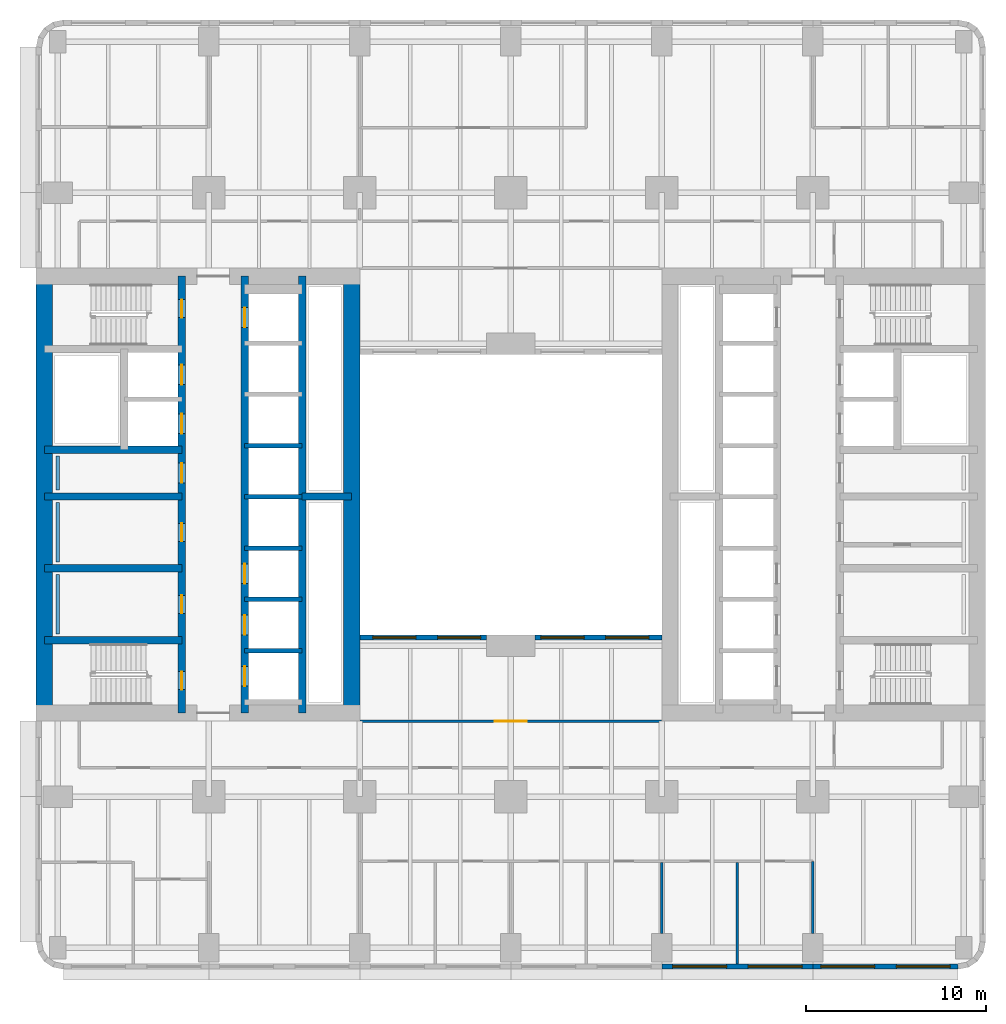
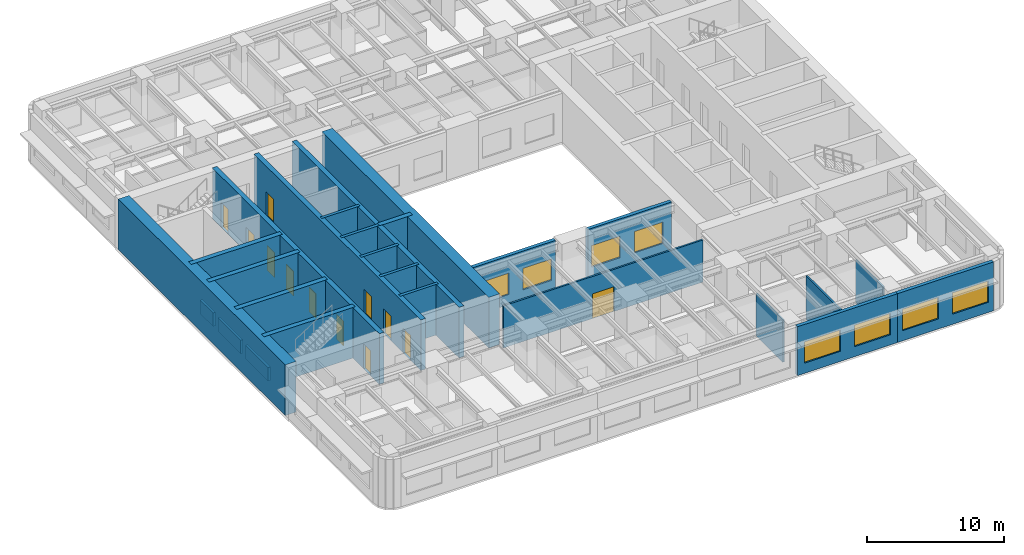
# One storey, part 4 of 12: 26 walls, 12 doors, 8 windows, 20 openings.
"""IFC4 building model written with IfcOpenShell, lengths in metres."""

from ifc_helpers import new_model, si_unit, direction, frame, frame_2d, origin, place, context, subcontext, project, spatial, rectangle, extrude, material, layer, layer_set, type_object, element, fill, save


model = new_model("IFC4")

# Units and contexts
model_context = context("Model", 3, precision=1e-05, world=origin(), true_north=direction((0.0, 1.0)))
body_context = subcontext(model_context, "Body", "Model", "MODEL_VIEW")
ifc_project = project(units=[si_unit("LENGTHUNIT", "METRE"), si_unit("AREAUNIT", "SQUARE_METRE"), si_unit("VOLUMEUNIT", "CUBIC_METRE"), si_unit("PLANEANGLEUNIT", "RADIAN"), si_unit("MASSUNIT", "GRAM", prefix="KILO")], contexts=[model_context])

# Site, building, storey
site_placement = place(None, origin())
site = spatial("IfcSite", under=ifc_project, at=site_placement, CompositionType="ELEMENT")
building_placement = place(site_placement, origin())
building = spatial("IfcBuilding", under=site, at=building_placement, Name="Claustro Exchange Tower", CompositionType="ELEMENT")
storey_placement = place(building_placement, frame((0.0, 0.0, 63.89990234375)))
storey = spatial("IfcBuildingStorey", under=building, at=storey_placement, Name="L14", CompositionType="ELEMENT", Elevation=63.89990234375)

# Walls
ifc_material_1 = material(Name="Gypsum board on steel studs", Category="steel")
ifc_layer_1 = layer(ifc_material_1, 0.14990234375)
ifc_layer_set_1 = layer_set([ifc_layer_1], Name="Gypsum board on steel studs")
wall_type_1 = type_object("IfcWallType", Name="P1 150 plasterboard partition", PredefinedType="PARTITIONING", material=ifc_layer_set_1)
wall_1_placement = place(storey_placement, frame((33.60009765625, 0.799072265625, 0.0), z_axis=(0.0, 0.0, 1.0), x_axis=(0.0, 1.0, 0.0)))
element("IfcWall", 1, at=wall_1_placement, inside=storey, type_object=wall_type_1, Name="Partition P1 L14", PredefinedType="PARTITIONING", context=body_context, shape_type="SweptSolid", body=[
    extrude(rectangle(XDim=3.927001953125, YDim=0.14990234375, at=frame_2d((1.96337890625, 0.0))), origin(), (0.0, 0.0, 1.0), 3.739990234375),
])
wall_2_placement = place(storey_placement, frame((37.800048828125, -0.902099609375, 0.0), z_axis=(0.0, 0.0, 1.0), x_axis=(0.0, 1.0, 0.0)))
element("IfcWall", 2, at=wall_2_placement, inside=storey, type_object=wall_type_1, Name="Partition P1 L14", PredefinedType="PARTITIONING", context=body_context, shape_type="SweptSolid", body=[
    extrude(rectangle(XDim=5.628173828125, YDim=0.14990234375, at=frame_2d((2.81396484375, 0.0))), origin(), (0.0, 0.0, 1.0), 3.840087890625),
])
wall_3_placement = place(storey_placement, frame((42.0, 0.799072265625, 0.0), z_axis=(0.0, 0.0, 1.0), x_axis=(0.0, 1.0, 0.0)))
element("IfcWall", 3, at=wall_3_placement, inside=storey, type_object=wall_type_1, Name="Partition P1 L14", PredefinedType="PARTITIONING", context=body_context, shape_type="SweptSolid", body=[
    extrude(rectangle(XDim=4.0009765625, YDim=0.14990234375, at=frame_2d((2.00048828125, 0.0))), origin(), (0.0, 0.0, 1.0), 3.739990234375),
])

# Wall, opening, door
wall_4_placement = place(storey_placement, frame((16.820068359375, 12.60009765625, 0.0), z_axis=(0.0, 0.0, 1.0), x_axis=(1.0, 0.0, 0.0)))
wall_4 = element("IfcWall", 4, at=wall_4_placement, inside=storey, type_object=wall_type_1, Name="Partition P1 L14", PredefinedType="PARTITIONING", context=body_context, shape_type="SweptSolid", body=[
    extrude(rectangle(XDim=16.760009765625, YDim=0.14990234375, at=frame_2d((8.3798828125, 0.0))), origin(), (0.0, 0.0, 1.0), 3.739990234375),
])
opening_1_placement = place(wall_4_placement, frame((7.47998046875, 0.0, 0.0)))
opening_1 = element("IfcOpeningElement", 5, at=opening_1_placement, cuts=wall_4, Name="Opening D2", PredefinedType="OPENING", context=body_context, shape_type="SweptSolid", body=[
    extrude(rectangle(XDim=1.800048828125, YDim=2.199951171875, at=frame_2d((0.89990234375, 1.10009765625))), frame((0.0, 0.0849609375, 0.0), z_axis=(0.0, -1.0, 0.0), x_axis=(1.0, 0.0, 0.0)), (0.0, 0.0, 1.0), 0.169921875),
])
ifc_material_2 = material(Name="Timber door, oak veneer", Category="wood")
door_type_1 = type_object("IfcDoorType", Name="D2 1800 x 2200 double door", OperationType="DOUBLE_DOOR_SINGLE_SWING", PredefinedType="DOOR", material=ifc_material_2)
door_1_placement = place(opening_1_placement, frame((1.800048828125, 0.0, 0.0), z_axis=(0.0, 0.0, 1.0), x_axis=(-1.0, 0.0, 0.0)))
door_1 = element("IfcDoor", 6, at=door_1_placement, inside=storey, type_object=door_type_1, Name="Double door D2 L14", OperationType="DOUBLE_DOOR_SINGLE_SWING", OverallHeight=2.199951171875, OverallWidth=1.800048828125, PredefinedType="DOOR", context=body_context, shape_type="SweptSolid", body=[
    extrude(rectangle(XDim=1.800048828125, YDim=2.199951171875, at=frame_2d((0.89990234375, 1.10009765625))), frame((0.0, 0.02490234375, 0.0), z_axis=(0.0, -1.0, 0.0), x_axis=(1.0, 0.0, 0.0)), (0.0, 0.0, 1.0), 0.050048828125),
])
fill(opening_1, door_1)

# Wall, openings, windows
ifc_material_3 = material(Name="Concrete HA-40 (C40/50), precast, white cement, acid-etched", Category="concrete")
ifc_layer_2 = layer(ifc_material_3, 0.300048828125)
ifc_layer_set_2 = layer_set([ifc_layer_2], Name="Concrete HA-40 (C40/50), precast, white cement, acid-etched")
wall_type_2 = type_object("IfcWallType", Name="PC1 300 precast concrete pier panel", PredefinedType="SOLIDWALL", material=ifc_layer_set_2)
wall_5_placement = place(storey_placement, frame((50.085205078125, -1.050048828125, 0.0), z_axis=(0.0, 0.0, 1.0), x_axis=(-1.0, 0.0, 0.0)))
wall_5 = element("IfcWall", 7, at=wall_5_placement, inside=storey, type_object=wall_type_2, Name="Precast pier panel PC1 L14", PredefinedType="SOLIDWALL", context=body_context, shape_type="SweptSolid", body=[
    extrude(rectangle(XDim=8.085205078125, YDim=0.300048828125, at=frame_2d((4.04248046875, 0.0))), origin(), (0.0, 0.0, 1.0), 4.340087890625),
])
opening_2_placement = place(wall_5_placement, frame((0.442626953125, 0.0, 0.89990234375)))
opening_2 = element("IfcOpeningElement", 8, at=opening_2_placement, cuts=wall_5, Name="Opening W1", PredefinedType="OPENING", context=body_context, shape_type="SweptSolid", body=[
    extrude(rectangle(XDim=3.0, YDim=1.89990234375, at=frame_2d((1.5, 0.949951171875))), frame((0.0, 0.159912109375, 0.0), z_axis=(0.0, -1.0, 0.0), x_axis=(1.0, 0.0, 0.0)), (0.0, 0.0, 1.0), 0.320068359375),
])
opening_3_placement = place(wall_5_placement, frame((4.642578125, 0.0, 0.89990234375)))
opening_3 = element("IfcOpeningElement", 9, at=opening_3_placement, cuts=wall_5, Name="Opening W1", PredefinedType="OPENING", context=body_context, shape_type="SweptSolid", body=[
    extrude(rectangle(XDim=3.0, YDim=1.89990234375, at=frame_2d((1.5, 0.949951171875))), frame((0.0, 0.159912109375, 0.0), z_axis=(0.0, -1.0, 0.0), x_axis=(1.0, 0.0, 0.0)), (0.0, 0.0, 1.0), 0.320068359375),
])
ifc_material_4 = material(Name="Aluminium frame, clear double glazing", Category="aluminium")
window_type_1 = type_object("IfcWindowType", Name="W1 3000 x 1900 window", PartitioningType="SINGLE_PANEL", PredefinedType="WINDOW", material=ifc_material_4)
window_1_placement = place(opening_2_placement, origin())
window_1 = element("IfcWindow", 10, at=window_1_placement, inside=storey, type_object=window_type_1, Name="Window W1 L14", OverallHeight=1.89990234375, OverallWidth=3.0, PartitioningType="SINGLE_PANEL", PredefinedType="WINDOW", context=body_context, shape_type="SweptSolid", body=[
    extrude(rectangle(XDim=3.0, YDim=1.89990234375, at=frame_2d((1.5, 0.949951171875))), frame((0.0, 0.030029296875, 0.0), z_axis=(0.0, -1.0, 0.0), x_axis=(1.0, 0.0, 0.0)), (0.0, 0.0, 1.0), 0.06005859375),
])
fill(opening_2, window_1)
window_2_placement = place(opening_3_placement, origin())
window_2 = element("IfcWindow", 11, at=window_2_placement, inside=storey, type_object=window_type_1, Name="Window W1 L14", OverallHeight=1.89990234375, OverallWidth=3.0, PartitioningType="SINGLE_PANEL", PredefinedType="WINDOW", context=body_context, shape_type="SweptSolid", body=[
    extrude(rectangle(XDim=3.0, YDim=1.89990234375, at=frame_2d((1.5, 0.949951171875))), frame((0.0, 0.030029296875, 0.0), z_axis=(0.0, -1.0, 0.0), x_axis=(1.0, 0.0, 0.0)), (0.0, 0.0, 1.0), 0.06005859375),
])
fill(opening_3, window_2)

wall_6_placement = place(storey_placement, frame((42.0, -1.050048828125, 0.0), z_axis=(0.0, 0.0, 1.0), x_axis=(-1.0, 0.0, 0.0)))
wall_6 = element("IfcWall", 12, at=wall_6_placement, inside=storey, type_object=wall_type_2, Name="Precast pier panel PC1 L14", PredefinedType="SOLIDWALL", context=body_context, shape_type="SweptSolid", body=[
    extrude(rectangle(XDim=8.39990234375, YDim=0.300048828125, at=frame_2d((4.199951171875, 0.0))), origin(), (0.0, 0.0, 1.0), 4.340087890625),
])
opening_4_placement = place(wall_6_placement, frame((0.60009765625, 0.0, 0.89990234375)))
opening_4 = element("IfcOpeningElement", 13, at=opening_4_placement, cuts=wall_6, Name="Opening W1", PredefinedType="OPENING", context=body_context, shape_type="SweptSolid", body=[
    extrude(rectangle(XDim=3.0, YDim=1.89990234375, at=frame_2d((1.5, 0.949951171875))), frame((0.0, 0.159912109375, 0.0), z_axis=(0.0, -1.0, 0.0), x_axis=(1.0, 0.0, 0.0)), (0.0, 0.0, 1.0), 0.320068359375),
])
opening_5_placement = place(wall_6_placement, frame((4.800048828125, 0.0, 0.89990234375)))
opening_5 = element("IfcOpeningElement", 14, at=opening_5_placement, cuts=wall_6, Name="Opening W1", PredefinedType="OPENING", context=body_context, shape_type="SweptSolid", body=[
    extrude(rectangle(XDim=3.0, YDim=1.89990234375, at=frame_2d((1.5, 0.949951171875))), frame((0.0, 0.159912109375, 0.0), z_axis=(0.0, -1.0, 0.0), x_axis=(1.0, 0.0, 0.0)), (0.0, 0.0, 1.0), 0.320068359375),
])
window_3_placement = place(opening_4_placement, origin())
window_3 = element("IfcWindow", 15, at=window_3_placement, inside=storey, type_object=window_type_1, Name="Window W1 L14", OverallHeight=1.89990234375, OverallWidth=3.0, PartitioningType="SINGLE_PANEL", PredefinedType="WINDOW", context=body_context, shape_type="SweptSolid", body=[
    extrude(rectangle(XDim=3.0, YDim=1.89990234375, at=frame_2d((1.5, 0.949951171875))), frame((0.0, 0.030029296875, 0.0), z_axis=(0.0, -1.0, 0.0), x_axis=(1.0, 0.0, 0.0)), (0.0, 0.0, 1.0), 0.06005859375),
])
fill(opening_4, window_3)
window_4_placement = place(opening_5_placement, origin())
window_4 = element("IfcWindow", 16, at=window_4_placement, inside=storey, type_object=window_type_1, Name="Window W1 L14", OverallHeight=1.89990234375, OverallWidth=3.0, PartitioningType="SINGLE_PANEL", PredefinedType="WINDOW", context=body_context, shape_type="SweptSolid", body=[
    extrude(rectangle(XDim=3.0, YDim=1.89990234375, at=frame_2d((1.5, 0.949951171875))), frame((0.0, 0.030029296875, 0.0), z_axis=(0.0, -1.0, 0.0), x_axis=(1.0, 0.0, 0.0)), (0.0, 0.0, 1.0), 0.06005859375),
])
fill(opening_5, window_4)

wall_7_placement = place(storey_placement, frame((16.800048828125, 17.25, 0.0), z_axis=(0.0, 0.0, 1.0), x_axis=(1.0, 0.0, 0.0)))
wall_7 = element("IfcWall", 17, at=wall_7_placement, inside=storey, type_object=wall_type_2, Name="Precast pier panel PC1 L14", PredefinedType="SOLIDWALL", context=body_context, shape_type="SweptSolid", body=[
    extrude(rectangle(XDim=7.050048828125, YDim=0.300048828125, at=frame_2d((3.52490234375, 0.0))), origin(), (0.0, 0.0, 1.0), 4.340087890625),
])
opening_6_placement = place(wall_7_placement, frame((0.72509765625, 0.0, 0.89990234375)))
opening_6 = element("IfcOpeningElement", 18, at=opening_6_placement, cuts=wall_7, Name="Opening W2", PredefinedType="OPENING", context=body_context, shape_type="SweptSolid", body=[
    extrude(rectangle(XDim=2.39990234375, YDim=1.89990234375, at=frame_2d((1.199951171875, 0.949951171875))), frame((0.0, 0.159912109375, 0.0), z_axis=(0.0, -1.0, 0.0), x_axis=(1.0, 0.0, 0.0)), (0.0, 0.0, 1.0), 0.320068359375),
])
opening_7_placement = place(wall_7_placement, frame((4.324951171875, 0.0, 0.89990234375)))
opening_7 = element("IfcOpeningElement", 19, at=opening_7_placement, cuts=wall_7, Name="Opening W2", PredefinedType="OPENING", context=body_context, shape_type="SweptSolid", body=[
    extrude(rectangle(XDim=2.39990234375, YDim=1.89990234375, at=frame_2d((1.199951171875, 0.949951171875))), frame((0.0, 0.159912109375, 0.0), z_axis=(0.0, -1.0, 0.0), x_axis=(1.0, 0.0, 0.0)), (0.0, 0.0, 1.0), 0.320068359375),
])
ifc_material_5 = material(Name="Aluminium frame, clear double glazing", Category="aluminium")
window_type_2 = type_object("IfcWindowType", Name="W2 2400 x 1900 window", PartitioningType="SINGLE_PANEL", PredefinedType="WINDOW", material=ifc_material_5)
window_5_placement = place(opening_6_placement, origin())
window_5 = element("IfcWindow", 20, at=window_5_placement, inside=storey, type_object=window_type_2, Name="Window W2 L14", OverallHeight=1.89990234375, OverallWidth=2.39990234375, PartitioningType="SINGLE_PANEL", PredefinedType="WINDOW", context=body_context, shape_type="SweptSolid", body=[
    extrude(rectangle(XDim=2.39990234375, YDim=1.89990234375, at=frame_2d((1.199951171875, 0.949951171875))), frame((0.0, 0.030029296875, 0.0), z_axis=(0.0, -1.0, 0.0), x_axis=(1.0, 0.0, 0.0)), (0.0, 0.0, 1.0), 0.06005859375),
])
fill(opening_6, window_5)
window_6_placement = place(opening_7_placement, origin())
window_6 = element("IfcWindow", 21, at=window_6_placement, inside=storey, type_object=window_type_2, Name="Window W2 L14", OverallHeight=1.89990234375, OverallWidth=2.39990234375, PartitioningType="SINGLE_PANEL", PredefinedType="WINDOW", context=body_context, shape_type="SweptSolid", body=[
    extrude(rectangle(XDim=2.39990234375, YDim=1.89990234375, at=frame_2d((1.199951171875, 0.949951171875))), frame((0.0, 0.030029296875, 0.0), z_axis=(0.0, -1.0, 0.0), x_axis=(1.0, 0.0, 0.0)), (0.0, 0.0, 1.0), 0.06005859375),
])
fill(opening_7, window_6)

wall_8_placement = place(storey_placement, frame((26.550048828125, 17.25, 0.0), z_axis=(0.0, 0.0, 1.0), x_axis=(1.0, 0.0, 0.0)))
wall_8 = element("IfcWall", 22, at=wall_8_placement, inside=storey, type_object=wall_type_2, Name="Precast pier panel PC1 L14", PredefinedType="SOLIDWALL", context=body_context, shape_type="SweptSolid", body=[
    extrude(rectangle(XDim=7.050048828125, YDim=0.300048828125, at=frame_2d((3.52490234375, 0.0))), origin(), (0.0, 0.0, 1.0), 4.340087890625),
])
opening_8_placement = place(wall_8_placement, frame((0.324951171875, 0.0, 0.89990234375)))
opening_8 = element("IfcOpeningElement", 23, at=opening_8_placement, cuts=wall_8, Name="Opening W2", PredefinedType="OPENING", context=body_context, shape_type="SweptSolid", body=[
    extrude(rectangle(XDim=2.39990234375, YDim=1.89990234375, at=frame_2d((1.199951171875, 0.949951171875))), frame((0.0, 0.159912109375, 0.0), z_axis=(0.0, -1.0, 0.0), x_axis=(1.0, 0.0, 0.0)), (0.0, 0.0, 1.0), 0.320068359375),
])
opening_9_placement = place(wall_8_placement, frame((3.925048828125, 0.0, 0.89990234375)))
opening_9 = element("IfcOpeningElement", 24, at=opening_9_placement, cuts=wall_8, Name="Opening W2", PredefinedType="OPENING", context=body_context, shape_type="SweptSolid", body=[
    extrude(rectangle(XDim=2.39990234375, YDim=1.89990234375, at=frame_2d((1.199951171875, 0.949951171875))), frame((0.0, 0.159912109375, 0.0), z_axis=(0.0, -1.0, 0.0), x_axis=(1.0, 0.0, 0.0)), (0.0, 0.0, 1.0), 0.320068359375),
])
window_7_placement = place(opening_8_placement, origin())
window_7 = element("IfcWindow", 25, at=window_7_placement, inside=storey, type_object=window_type_2, Name="Window W2 L14", OverallHeight=1.89990234375, OverallWidth=2.39990234375, PartitioningType="SINGLE_PANEL", PredefinedType="WINDOW", context=body_context, shape_type="SweptSolid", body=[
    extrude(rectangle(XDim=2.39990234375, YDim=1.89990234375, at=frame_2d((1.199951171875, 0.949951171875))), frame((0.0, 0.030029296875, 0.0), z_axis=(0.0, -1.0, 0.0), x_axis=(1.0, 0.0, 0.0)), (0.0, 0.0, 1.0), 0.06005859375),
])
fill(opening_8, window_7)
window_8_placement = place(opening_9_placement, origin())
window_8 = element("IfcWindow", 26, at=window_8_placement, inside=storey, type_object=window_type_2, Name="Window W2 L14", OverallHeight=1.89990234375, OverallWidth=2.39990234375, PartitioningType="SINGLE_PANEL", PredefinedType="WINDOW", context=body_context, shape_type="SweptSolid", body=[
    extrude(rectangle(XDim=2.39990234375, YDim=1.89990234375, at=frame_2d((1.199951171875, 0.949951171875))), frame((0.0, 0.030029296875, 0.0), z_axis=(0.0, -1.0, 0.0), x_axis=(1.0, 0.0, 0.0)), (0.0, 0.0, 1.0), 0.06005859375),
])
fill(opening_9, window_8)

# Walls
ifc_material_6 = material(Name="Gypsum board on steel studs, tiled", Category="steel")
ifc_layer_3 = layer(ifc_material_6, 0.199951171875)
ifc_layer_set_3 = layer_set([ifc_layer_3], Name="Gypsum board on steel studs, tiled")
wall_type_3 = type_object("IfcWallType", Name="PW1 200 WC duct wall", PredefinedType="PLUMBINGWALL", material=ifc_layer_set_3)
for number, where, z_axis, x_axis, name in (
    (27, (0.0, 17.449951171875, 0.0), (0.0, 0.0, 1.0), (0.0, 1.0, 0.0), "WC duct wall PW1 L14"),
    (28, (0.0, 21.449951171875, 0.0), (0.0, 0.0, 1.0), (0.0, 1.0, 0.0), "WC duct wall PW1 L14"),
):
    element("IfcWall", number, at=place(storey_placement, frame(where, z_axis=z_axis, x_axis=x_axis)), inside=storey, type_object=wall_type_3, Name=name, PredefinedType="PLUMBINGWALL", context=body_context, shape_type="SweptSolid", body=[
        extrude(rectangle(XDim=3.300048828125, YDim=0.199951171875, at=frame_2d((1.64990234375, 0.0))), origin(), (0.0, 0.0, 1.0), 1.2001953125),
    ])
wall_9_placement = place(storey_placement, frame((0.0, 25.449951171875, 0.0), z_axis=(0.0, 0.0, 1.0), x_axis=(0.0, 1.0, 0.0)))
element("IfcWall", 29, at=wall_9_placement, inside=storey, type_object=wall_type_3, Name="WC duct wall PW1 L14", PredefinedType="PLUMBINGWALL", context=body_context, shape_type="SweptSolid", body=[
    extrude(rectangle(XDim=1.900146484375, YDim=0.199951171875, at=frame_2d((0.9501953125, 0.0))), origin(), (0.0, 0.0, 1.0), 1.2001953125),
])
ifc_material_7 = material(Name="Concrete HA-70 (C70/85)", Category="concrete")
ifc_layer_4 = layer(ifc_material_7, 0.89990234375)
ifc_layer_set_4 = layer_set([ifc_layer_4], Name="Concrete HA-70 (C70/85)")
wall_type_4 = type_object("IfcWallType", Name="SW1X 900 exposed core shear wall, board-marked face", PredefinedType="SHEAR", material=ifc_layer_set_4)
for number, where, z_axis, x_axis, name in (
    (30, (-0.75, 13.050048828125, 0.0), (0.0, 0.0, 1.0), (0.0, 1.0, 0.0), "Core wall SW1X W core W face L14"),
    (31, (16.35009765625, 13.050048828125, 0.0), (0.0, 0.0, 1.0), (0.0, 1.0, 0.0), "Core wall SW1X W core E face L14"),
):
    element("IfcWall", number, at=place(storey_placement, frame(where, z_axis=z_axis, x_axis=x_axis)), inside=storey, type_object=wall_type_4, Name=name, PredefinedType="SHEAR", context=body_context, shape_type="SweptSolid", body=[
        extrude(rectangle(XDim=24.300048828125, YDim=0.89990234375, at=frame_2d((12.14990234375, 0.0))), origin(), (0.0, 0.0, 1.0), 4.5),
    ])

# Wall, openings, doors
ifc_material_8 = material(Name="Concrete HA-50 (C50/60)", Category="concrete")
ifc_layer_5 = layer(ifc_material_8, 0.39990234375)
ifc_layer_set_5 = layer_set([ifc_layer_5], Name="Concrete HA-50 (C50/60)")
wall_type_5 = type_object("IfcWallType", Name="SW4 400 internal core wall", PredefinedType="SHEAR", material=ifc_layer_set_5)
wall_10_placement = place(storey_placement, frame((6.89990234375, 13.050048828125, 0.0), z_axis=(0.0, 0.0, 1.0), x_axis=(0.0, 1.0, 0.0)))
wall_10 = element("IfcWall", 32, at=wall_10_placement, inside=storey, type_object=wall_type_5, Name="Internal core wall SW4 W core L14", PredefinedType="SHEAR", context=body_context, shape_type="SweptSolid", body=[
    extrude(rectangle(XDim=24.300048828125, YDim=0.39990234375, at=frame_2d((12.14990234375, 0.0))), origin(), (0.0, 0.0, 1.0), 4.5),
])
opening_10_placement = place(wall_10_placement, frame((1.300048828125, 0.0, 0.0)))
opening_10 = element("IfcOpeningElement", 33, at=opening_10_placement, cuts=wall_10, Name="Opening D4", PredefinedType="OPENING", context=body_context, shape_type="SweptSolid", body=[
    extrude(rectangle(XDim=1.0, YDim=2.199951171875, at=frame_2d((0.5, 1.10009765625))), frame((0.0, 0.2099609375, 0.0), z_axis=(0.0, -1.0, 0.0), x_axis=(1.0, 0.0, 0.0)), (0.0, 0.0, 1.0), 0.419921875),
])
opening_11_placement = place(wall_10_placement, frame((22.0, 0.0, 0.0)))
opening_11 = element("IfcOpeningElement", 34, at=opening_11_placement, cuts=wall_10, Name="Opening D4", PredefinedType="OPENING", context=body_context, shape_type="SweptSolid", body=[
    extrude(rectangle(XDim=1.0, YDim=2.199951171875, at=frame_2d((0.5, 1.10009765625))), frame((0.0, 0.2099609375, 0.0), z_axis=(0.0, -1.0, 0.0), x_axis=(1.0, 0.0, 0.0)), (0.0, 0.0, 1.0), 0.419921875),
])
opening_12_placement = place(wall_10_placement, frame((5.550048828125, 0.0, 0.0)))
opening_12 = element("IfcOpeningElement", 35, at=opening_12_placement, cuts=wall_10, Name="Opening D1", PredefinedType="OPENING", context=body_context, shape_type="SweptSolid", body=[
    extrude(rectangle(XDim=1.0, YDim=2.199951171875, at=frame_2d((0.5, 1.10009765625))), frame((0.0, 0.2099609375, 0.0), z_axis=(0.0, -1.0, 0.0), x_axis=(1.0, 0.0, 0.0)), (0.0, 0.0, 1.0), 0.419921875),
])
opening_13_placement = place(wall_10_placement, frame((9.550048828125, 0.0, 0.0)))
opening_13 = element("IfcOpeningElement", 36, at=opening_13_placement, cuts=wall_10, Name="Opening D1", PredefinedType="OPENING", context=body_context, shape_type="SweptSolid", body=[
    extrude(rectangle(XDim=1.0, YDim=2.199951171875, at=frame_2d((0.5, 1.10009765625))), frame((0.0, 0.2099609375, 0.0), z_axis=(0.0, -1.0, 0.0), x_axis=(1.0, 0.0, 0.0)), (0.0, 0.0, 1.0), 0.419921875),
])
opening_14_placement = place(wall_10_placement, frame((12.800048828125, 0.0, 0.0)))
opening_14 = element("IfcOpeningElement", 37, at=opening_14_placement, cuts=wall_10, Name="Opening D10", PredefinedType="OPENING", context=body_context, shape_type="SweptSolid", body=[
    extrude(rectangle(XDim=1.10009765625, YDim=2.199951171875, at=frame_2d((0.550048828125, 1.10009765625))), frame((0.0, 0.2099609375, 0.0), z_axis=(0.0, -1.0, 0.0), x_axis=(1.0, 0.0, 0.0)), (0.0, 0.0, 1.0), 0.419921875),
])
opening_15_placement = place(wall_10_placement, frame((15.53759765625, 0.0, 0.0)))
opening_15 = element("IfcOpeningElement", 38, at=opening_15_placement, cuts=wall_10, Name="Opening LD", PredefinedType="OPENING", context=body_context, shape_type="SweptSolid", body=[
    extrude(rectangle(XDim=1.10009765625, YDim=2.199951171875, at=frame_2d((0.550048828125, 1.10009765625))), frame((0.0, 0.2099609375, 0.0), z_axis=(0.0, -1.0, 0.0), x_axis=(1.0, 0.0, 0.0)), (0.0, 0.0, 1.0), 0.419921875),
])
opening_16_placement = place(wall_10_placement, frame((18.262451171875, 0.0, 0.0)))
opening_16 = element("IfcOpeningElement", 39, at=opening_16_placement, cuts=wall_10, Name="Opening LD", PredefinedType="OPENING", context=body_context, shape_type="SweptSolid", body=[
    extrude(rectangle(XDim=1.10009765625, YDim=2.199951171875, at=frame_2d((0.550048828125, 1.10009765625))), frame((0.0, 0.2099609375, 0.0), z_axis=(0.0, -1.0, 0.0), x_axis=(1.0, 0.0, 0.0)), (0.0, 0.0, 1.0), 0.419921875),
])
ifc_material_9 = material(Name="Timber door, oak veneer", Category="wood")
door_type_2 = type_object("IfcDoorType", Name="D1 1000 x 2200 single door", OperationType="SINGLE_SWING_LEFT", PredefinedType="DOOR", material=ifc_material_9)
door_2_placement = place(opening_12_placement, origin())
door_2 = element("IfcDoor", 40, at=door_2_placement, inside=storey, type_object=door_type_2, Name="Door D1 L14", OperationType="SINGLE_SWING_RIGHT", OverallHeight=2.199951171875, OverallWidth=1.0, PredefinedType="DOOR", context=body_context, shape_type="SweptSolid", body=[
    extrude(rectangle(XDim=1.0, YDim=2.199951171875, at=frame_2d((0.5, 1.10009765625))), frame((0.0, 0.02490234375, 0.0), z_axis=(0.0, -1.0, 0.0), x_axis=(1.0, 0.0, 0.0)), (0.0, 0.0, 1.0), 0.050048828125),
])
fill(opening_12, door_2)
door_3_placement = place(opening_13_placement, origin())
door_3 = element("IfcDoor", 41, at=door_3_placement, inside=storey, type_object=door_type_2, Name="Door D1 L14", OperationType="SINGLE_SWING_RIGHT", OverallHeight=2.199951171875, OverallWidth=1.0, PredefinedType="DOOR", context=body_context, shape_type="SweptSolid", body=[
    extrude(rectangle(XDim=1.0, YDim=2.199951171875, at=frame_2d((0.5, 1.10009765625))), frame((0.0, 0.02490234375, 0.0), z_axis=(0.0, -1.0, 0.0), x_axis=(1.0, 0.0, 0.0)), (0.0, 0.0, 1.0), 0.050048828125),
])
fill(opening_13, door_3)
ifc_material_10 = material(Name="Timber door, oak veneer", Category="wood")
door_type_3 = type_object("IfcDoorType", Name="D10 1100 x 2200 accessible WC door", OperationType="SINGLE_SWING_LEFT", PredefinedType="DOOR", material=ifc_material_10)
door_4_placement = place(opening_14_placement, frame((1.10009765625, 0.0, 0.0), z_axis=(0.0, 0.0, 1.0), x_axis=(-1.0, 0.0, 0.0)))
door_4 = element("IfcDoor", 42, at=door_4_placement, inside=storey, type_object=door_type_3, Name="Accessible WC door D10 L14", OperationType="SINGLE_SWING_LEFT", OverallHeight=2.199951171875, OverallWidth=1.10009765625, PredefinedType="DOOR", context=body_context, shape_type="SweptSolid", body=[
    extrude(rectangle(XDim=1.10009765625, YDim=2.199951171875, at=frame_2d((0.550048828125, 1.10009765625))), frame((0.0, 0.02490234375, 0.0), z_axis=(0.0, -1.0, 0.0), x_axis=(1.0, 0.0, 0.0)), (0.0, 0.0, 1.0), 0.050048828125),
])
fill(opening_14, door_4)
ifc_material_11 = material(Name="Steel fire door, painted", Category="steel")
door_type_4 = type_object("IfcDoorType", Name="D4 1000 x 2200 fire-rated stair door", OperationType="SINGLE_SWING_LEFT", PredefinedType="DOOR", material=ifc_material_11)
door_5_placement = place(opening_10_placement, origin())
door_5 = element("IfcDoor", 43, at=door_5_placement, inside=storey, type_object=door_type_4, Name="Stair door D4 L14", OperationType="SINGLE_SWING_LEFT", OverallHeight=2.199951171875, OverallWidth=1.0, PredefinedType="DOOR", context=body_context, shape_type="SweptSolid", body=[
    extrude(rectangle(XDim=1.0, YDim=2.199951171875, at=frame_2d((0.5, 1.10009765625))), frame((0.0, 0.02490234375, 0.0), z_axis=(0.0, -1.0, 0.0), x_axis=(1.0, 0.0, 0.0)), (0.0, 0.0, 1.0), 0.050048828125),
])
fill(opening_10, door_5)
door_6_placement = place(opening_11_placement, origin())
door_6 = element("IfcDoor", 44, at=door_6_placement, inside=storey, type_object=door_type_4, Name="Stair door D4 L14", OperationType="SINGLE_SWING_RIGHT", OverallHeight=2.199951171875, OverallWidth=1.0, PredefinedType="DOOR", context=body_context, shape_type="SweptSolid", body=[
    extrude(rectangle(XDim=1.0, YDim=2.199951171875, at=frame_2d((0.5, 1.10009765625))), frame((0.0, 0.02490234375, 0.0), z_axis=(0.0, -1.0, 0.0), x_axis=(1.0, 0.0, 0.0)), (0.0, 0.0, 1.0), 0.050048828125),
])
fill(opening_11, door_6)
ifc_material_12 = material(Name="Stainless steel sliding door", Category="steel")
door_type_5 = type_object("IfcDoorType", Name="LD 1100 x 2200 lift landing door", OperationType="DOUBLE_DOOR_SLIDING", PredefinedType="DOOR", material=ifc_material_12)
door_7_placement = place(opening_15_placement, origin())
door_7 = element("IfcDoor", 45, at=door_7_placement, inside=storey, type_object=door_type_5, Name="Lift landing door LEW1 LD L14", OperationType="DOUBLE_DOOR_SLIDING", OverallHeight=2.199951171875, OverallWidth=1.10009765625, PredefinedType="DOOR", context=body_context, shape_type="SweptSolid", body=[
    extrude(rectangle(XDim=1.10009765625, YDim=2.199951171875, at=frame_2d((0.550048828125, 1.10009765625))), frame((0.0, 0.02490234375, 0.0), z_axis=(0.0, -1.0, 0.0), x_axis=(1.0, 0.0, 0.0)), (0.0, 0.0, 1.0), 0.050048828125),
])
fill(opening_15, door_7)
door_8_placement = place(opening_16_placement, origin())
door_8 = element("IfcDoor", 46, at=door_8_placement, inside=storey, type_object=door_type_5, Name="Lift landing door LEW2 LD L14", OperationType="DOUBLE_DOOR_SLIDING", OverallHeight=2.199951171875, OverallWidth=1.10009765625, PredefinedType="DOOR", context=body_context, shape_type="SweptSolid", body=[
    extrude(rectangle(XDim=1.10009765625, YDim=2.199951171875, at=frame_2d((0.550048828125, 1.10009765625))), frame((0.0, 0.02490234375, 0.0), z_axis=(0.0, -1.0, 0.0), x_axis=(1.0, 0.0, 0.0)), (0.0, 0.0, 1.0), 0.050048828125),
])
fill(opening_16, door_8)

wall_11_placement = place(storey_placement, frame((10.39990234375, 13.050048828125, 0.0), z_axis=(0.0, 0.0, 1.0), x_axis=(0.0, 1.0, 0.0)))
wall_11 = element("IfcWall", 47, at=wall_11_placement, inside=storey, type_object=wall_type_5, Name="Internal core wall SW4 W core L14", PredefinedType="SHEAR", context=body_context, shape_type="SweptSolid", body=[
    extrude(rectangle(XDim=24.300048828125, YDim=0.39990234375, at=frame_2d((12.14990234375, 0.0))), origin(), (0.0, 0.0, 1.0), 4.5),
])
opening_17_placement = place(wall_11_placement, frame((1.5, 0.0, 0.0)))
opening_17 = element("IfcOpeningElement", 48, at=opening_17_placement, cuts=wall_11, Name="Opening LD", PredefinedType="OPENING", context=body_context, shape_type="SweptSolid", body=[
    extrude(rectangle(XDim=1.10009765625, YDim=2.199951171875, at=frame_2d((0.550048828125, 1.10009765625))), frame((0.0, 0.2099609375, 0.0), z_axis=(0.0, -1.0, 0.0), x_axis=(1.0, 0.0, 0.0)), (0.0, 0.0, 1.0), 0.419921875),
])
opening_18_placement = place(wall_11_placement, frame((4.35009765625, 0.0, 0.0)))
opening_18 = element("IfcOpeningElement", 49, at=opening_18_placement, cuts=wall_11, Name="Opening LD", PredefinedType="OPENING", context=body_context, shape_type="SweptSolid", body=[
    extrude(rectangle(XDim=1.10009765625, YDim=2.199951171875, at=frame_2d((0.550048828125, 1.10009765625))), frame((0.0, 0.2099609375, 0.0), z_axis=(0.0, -1.0, 0.0), x_axis=(1.0, 0.0, 0.0)), (0.0, 0.0, 1.0), 0.419921875),
])
opening_19_placement = place(wall_11_placement, frame((7.199951171875, 0.0, 0.0)))
opening_19 = element("IfcOpeningElement", 50, at=opening_19_placement, cuts=wall_11, Name="Opening LD", PredefinedType="OPENING", context=body_context, shape_type="SweptSolid", body=[
    extrude(rectangle(XDim=1.10009765625, YDim=2.199951171875, at=frame_2d((0.550048828125, 1.10009765625))), frame((0.0, 0.2099609375, 0.0), z_axis=(0.0, -1.0, 0.0), x_axis=(1.0, 0.0, 0.0)), (0.0, 0.0, 1.0), 0.419921875),
])
opening_20_placement = place(wall_11_placement, frame((21.449951171875, 0.0, 0.0)))
opening_20 = element("IfcOpeningElement", 51, at=opening_20_placement, cuts=wall_11, Name="Opening LD", PredefinedType="OPENING", context=body_context, shape_type="SweptSolid", body=[
    extrude(rectangle(XDim=1.10009765625, YDim=2.199951171875, at=frame_2d((0.550048828125, 1.10009765625))), frame((0.0, 0.2099609375, 0.0), z_axis=(0.0, -1.0, 0.0), x_axis=(1.0, 0.0, 0.0)), (0.0, 0.0, 1.0), 0.419921875),
])
door_9_placement = place(opening_17_placement, origin())
door_9 = element("IfcDoor", 52, at=door_9_placement, inside=storey, type_object=door_type_5, Name="Lift landing door LLW1 LD L14", OperationType="DOUBLE_DOOR_SLIDING", OverallHeight=2.199951171875, OverallWidth=1.10009765625, PredefinedType="DOOR", context=body_context, shape_type="SweptSolid", body=[
    extrude(rectangle(XDim=1.10009765625, YDim=2.199951171875, at=frame_2d((0.550048828125, 1.10009765625))), frame((0.0, 0.02490234375, 0.0), z_axis=(0.0, -1.0, 0.0), x_axis=(1.0, 0.0, 0.0)), (0.0, 0.0, 1.0), 0.050048828125),
])
fill(opening_17, door_9)
door_10_placement = place(opening_18_placement, origin())
door_10 = element("IfcDoor", 53, at=door_10_placement, inside=storey, type_object=door_type_5, Name="Lift landing door LLW2 LD L14", OperationType="DOUBLE_DOOR_SLIDING", OverallHeight=2.199951171875, OverallWidth=1.10009765625, PredefinedType="DOOR", context=body_context, shape_type="SweptSolid", body=[
    extrude(rectangle(XDim=1.10009765625, YDim=2.199951171875, at=frame_2d((0.550048828125, 1.10009765625))), frame((0.0, 0.02490234375, 0.0), z_axis=(0.0, -1.0, 0.0), x_axis=(1.0, 0.0, 0.0)), (0.0, 0.0, 1.0), 0.050048828125),
])
fill(opening_18, door_10)
door_11_placement = place(opening_19_placement, origin())
door_11 = element("IfcDoor", 54, at=door_11_placement, inside=storey, type_object=door_type_5, Name="Lift landing door LLW3 LD L14", OperationType="DOUBLE_DOOR_SLIDING", OverallHeight=2.199951171875, OverallWidth=1.10009765625, PredefinedType="DOOR", context=body_context, shape_type="SweptSolid", body=[
    extrude(rectangle(XDim=1.10009765625, YDim=2.199951171875, at=frame_2d((0.550048828125, 1.10009765625))), frame((0.0, 0.02490234375, 0.0), z_axis=(0.0, -1.0, 0.0), x_axis=(1.0, 0.0, 0.0)), (0.0, 0.0, 1.0), 0.050048828125),
])
fill(opening_19, door_11)
door_12_placement = place(opening_20_placement, origin())
door_12 = element("IfcDoor", 55, at=door_12_placement, inside=storey, type_object=door_type_5, Name="Lift landing door LSW1 LD L14", OperationType="DOUBLE_DOOR_SLIDING", OverallHeight=2.199951171875, OverallWidth=1.10009765625, PredefinedType="DOOR", context=body_context, shape_type="SweptSolid", body=[
    extrude(rectangle(XDim=1.10009765625, YDim=2.199951171875, at=frame_2d((0.550048828125, 1.10009765625))), frame((0.0, 0.02490234375, 0.0), z_axis=(0.0, -1.0, 0.0), x_axis=(1.0, 0.0, 0.0)), (0.0, 0.0, 1.0), 0.050048828125),
])
fill(opening_20, door_12)

# Walls
wall_12_placement = place(storey_placement, frame((13.60009765625, 13.050048828125, 0.0), z_axis=(0.0, 0.0, 1.0), x_axis=(0.0, 1.0, 0.0)))
element("IfcWall", 56, at=wall_12_placement, inside=storey, type_object=wall_type_5, Name="Internal core wall SW4 W core L14", PredefinedType="SHEAR", context=body_context, shape_type="SweptSolid", body=[
    extrude(rectangle(XDim=24.300048828125, YDim=0.39990234375, at=frame_2d((12.14990234375, 0.0))), origin(), (0.0, 0.0, 1.0), 4.5),
])
for number, where, z_axis, x_axis, name in (
    (57, (-0.75, 17.10009765625, 0.0), (0.0, 0.0, 1.0), (1.0, 0.0, 0.0), "Internal core wall SW4 W core L14"),
    (58, (-0.75, 21.10009765625, 0.0), (0.0, 0.0, 1.0), (1.0, 0.0, 0.0), "Internal core wall SW4 W core L14"),
    (59, (-0.75, 25.10009765625, 0.0), (0.0, 0.0, 1.0), (1.0, 0.0, 0.0), "Internal core wall SW4 W core L14"),
    (60, (-0.75, 27.699951171875, 0.0), (0.0, 0.0, 1.0), (1.0, 0.0, 0.0), "Internal core wall SW4 W core L14"),
):
    element("IfcWall", number, at=place(storey_placement, frame(where, z_axis=z_axis, x_axis=x_axis)), inside=storey, type_object=wall_type_5, Name=name, PredefinedType="SHEAR", context=body_context, shape_type="SweptSolid", body=[
        extrude(rectangle(XDim=7.64990234375, YDim=0.39990234375, at=frame_2d((3.824951171875, 0.0))), origin(), (0.0, 0.0, 1.0), 4.5),
    ])
wall_13_placement = place(storey_placement, frame((13.60009765625, 25.10009765625, 0.0), z_axis=(0.0, 0.0, 1.0), x_axis=(1.0, 0.0, 0.0)))
element("IfcWall", 61, at=wall_13_placement, inside=storey, type_object=wall_type_5, Name="Internal core wall SW4 W core L14", PredefinedType="SHEAR", context=body_context, shape_type="SweptSolid", body=[
    extrude(rectangle(XDim=2.75, YDim=0.39990234375, at=frame_2d((1.375, 0.0))), origin(), (0.0, 0.0, 1.0), 4.5),
])
ifc_material_13 = material(Name="Concrete HA-50 (C50/60)", Category="concrete")
ifc_layer_6 = layer(ifc_material_13, 0.25)
ifc_layer_set_6 = layer_set([ifc_layer_6], Name="Concrete HA-50 (C50/60)")
wall_type_6 = type_object("IfcWallType", Name="SW5 250 lift shaft divider wall", PredefinedType="SHEAR", material=ifc_layer_set_6)
for number, where, z_axis, x_axis, name in (
    (62, (10.39990234375, 16.52490234375, 0.0), (0.0, 0.0, 1.0), (1.0, 0.0, 0.0), "Lift shaft wall W core L14"),
    (63, (10.39990234375, 19.375, 0.0), (0.0, 0.0, 1.0), (1.0, 0.0, 0.0), "Lift shaft wall W core L14"),
    (64, (10.39990234375, 22.22509765625, 0.0), (0.0, 0.0, 1.0), (1.0, 0.0, 0.0), "Lift shaft wall W core L14"),
    (65, (10.39990234375, 25.074951171875, 0.0), (0.0, 0.0, 1.0), (1.0, 0.0, 0.0), "Lift shaft wall W core L14"),
    (66, (10.39990234375, 27.925048828125, 0.0), (0.0, 0.0, 1.0), (1.0, 0.0, 0.0), "Lift shaft wall W core L14"),
):
    element("IfcWall", number, at=place(storey_placement, frame(where, z_axis=z_axis, x_axis=x_axis)), inside=storey, type_object=wall_type_6, Name=name, PredefinedType="SHEAR", context=body_context, shape_type="SweptSolid", body=[
        extrude(rectangle(XDim=3.2001953125, YDim=0.25, at=frame_2d((1.60009765625, 0.0))), origin(), (0.0, 0.0, 1.0), 4.5),
    ])

save(model, "model.ifc")
